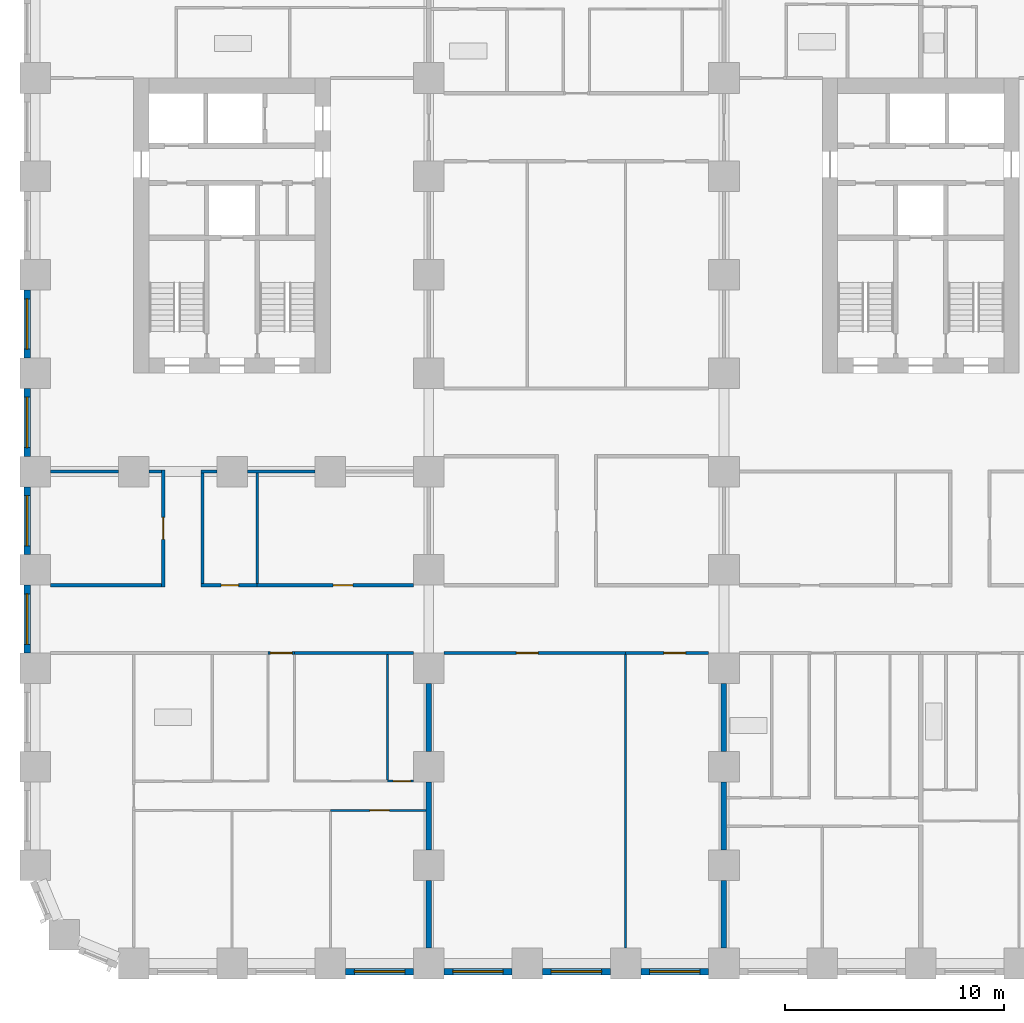
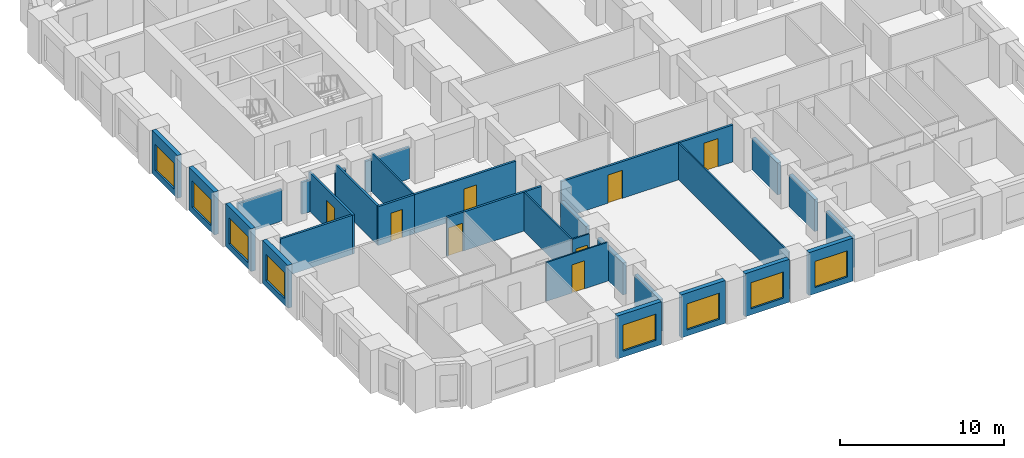
# One storey, part 3 of 13: 32 walls, 8 doors, 8 windows, 16 openings.
"""IFC4 building model written with IfcOpenShell, lengths in metres."""

from ifc_helpers import new_model, si_unit, direction, frame, frame_2d, origin, place, context, subcontext, project, spatial, rectangle, extrude, material, layer, layer_set, type_object, element, fill, save


model = new_model("IFC4")

# Units and contexts
model_context = context("Model", 3, precision=1e-05, world=origin(), true_north=direction((0.0, 1.0)))
body_context = subcontext(model_context, "Body", "Model", "MODEL_VIEW")
ifc_project = project(units=[si_unit("LENGTHUNIT", "METRE"), si_unit("AREAUNIT", "SQUARE_METRE"), si_unit("VOLUMEUNIT", "CUBIC_METRE"), si_unit("PLANEANGLEUNIT", "RADIAN"), si_unit("MASSUNIT", "GRAM", prefix="KILO")], contexts=[model_context])

# Site, building, storey
site_placement = place(None, origin())
site = spatial("IfcSite", under=ifc_project, at=site_placement, CompositionType="ELEMENT")
building_placement = place(site_placement, origin())
building = spatial("IfcBuilding", under=site, at=building_placement, Name="Girih Gate Residences", CompositionType="ELEMENT")
storey_placement = place(building_placement, frame((0.0, 0.0, 49.60009765625)))
storey = spatial("IfcBuildingStorey", under=building, at=storey_placement, Name="L12", CompositionType="ELEMENT", Elevation=49.60009765625)

# Walls
ifc_material_1 = material(Name="Gypsum board on steel studs", Category="steel")
ifc_layer_1 = layer(ifc_material_1, 0.25)
ifc_layer_set_1 = layer_set([ifc_layer_1], Name="Acoustic separating wall 250 mm")
wall_type_1 = type_object("IfcWallType", Name="Acoustic separating wall 250 mm", PredefinedType="PARTITIONING", material=ifc_layer_set_1)
for number, where, z_axis, x_axis, name in (
    (1, (18.0, 5.199951171875, 0.0), (0.0, 0.0, 1.0), (0.0, 1.0, 0.0), "L12 partition"),
    (2, (18.0, 0.699951171875, 0.0), (0.0, 0.0, 1.0), (0.0, 1.0, 0.0), "L12 partition"),
    (3, (18.0, 9.699951171875, 0.0), (0.0, 0.0, 1.0), (0.0, 1.0, 0.0), "L12 partition"),
    (4, (31.5, 9.699951171875, 0.0), (0.0, 0.0, 1.0), (0.0, 1.0, 0.0), "L12 partition"),
    (5, (31.5, 0.699951171875, 0.0), (0.0, 0.0, 1.0), (0.0, 1.0, 0.0), "L12 partition"),
    (6, (31.5, 5.199951171875, 0.0), (0.0, 0.0, 1.0), (0.0, 1.0, 0.0), "L12 partition"),
):
    element("IfcWall", number, at=place(storey_placement, frame(where, z_axis=z_axis, x_axis=x_axis)), inside=storey, type_object=wall_type_1, Name=name, PredefinedType="PARTITIONING", context=body_context, shape_type="SweptSolid", body=[
        extrude(rectangle(XDim=3.10009765625, YDim=0.25, at=frame_2d((1.550048828125, 0.0))), origin(), (0.0, 0.0, 1.0), 2.3798828125),
    ])

# Wall, opening, door
ifc_layer_2 = layer(ifc_material_1, 0.14990234375)
ifc_layer_set_2 = layer_set([ifc_layer_2], Name="Compartment wall 150 mm")
wall_type_2 = type_object("IfcWallType", Name="Compartment wall 150 mm", PredefinedType="PARTITIONING", material=ifc_layer_set_2)
wall_1_placement = place(storey_placement, frame((11.85009765625, 14.199951171875, 0.0), z_axis=(0.0, 0.0, 1.0), x_axis=(-1.0, 0.0, 0.0)))
wall_1 = element("IfcWall", 7, at=wall_1_placement, inside=storey, type_object=wall_type_2, Name="L12 partition", PredefinedType="PARTITIONING", context=body_context, shape_type="SweptSolid", body=[
    extrude(rectangle(XDim=1.2001953125, YDim=0.14990234375, at=frame_2d((0.60009765625, 0.0))), origin(), (0.0, 0.0, 1.0), 2.89990234375),
])
opening_1_placement = place(wall_1_placement, frame((0.10009765625, 0.0, 0.0)))
opening_1 = element("IfcOpeningElement", 8, at=opening_1_placement, cuts=wall_1, Name="Opening A12-009", PredefinedType="OPENING", context=body_context, shape_type="SweptSolid", body=[
    extrude(rectangle(XDim=1.0, YDim=2.10009765625, at=frame_2d((0.5, 1.050048828125))), frame((0.0, 0.0849609375, 0.0), z_axis=(0.0, -1.0, 0.0), x_axis=(1.0, 0.0, 0.0)), (0.0, 0.0, 1.0), 0.169921875),
])
ifc_material_2 = material(Name="Timber, fire-rated core", Category="wood")
door_type_1 = type_object("IfcDoorType", Name="Flat entrance door 1000x2100 FD30S", OperationType="NOTDEFINED", PredefinedType="DOOR", material=ifc_material_2)
door_1_placement = place(opening_1_placement, origin())
door_1 = element("IfcDoor", 9, at=door_1_placement, inside=storey, type_object=door_type_1, Name="Door A12-009", OperationType="SINGLE_SWING_RIGHT", OverallHeight=2.10009765625, OverallWidth=1.0, PredefinedType="DOOR", context=body_context, shape_type="SweptSolid", body=[
    extrude(rectangle(XDim=1.0, YDim=2.10009765625, at=frame_2d((0.5, 1.050048828125))), frame((0.0, 0.02490234375, 0.0), z_axis=(0.0, -1.0, 0.0), x_axis=(1.0, 0.0, 0.0)), (0.0, 0.0, 1.0), 0.050048828125),
])
fill(opening_1, door_1)

# Wall
wall_2_placement = place(storey_placement, frame((11.85009765625, 14.199951171875, 0.0), z_axis=(0.0, 0.0, 1.0), x_axis=(1.0, 0.0, 0.0)))
element("IfcWall", 10, at=wall_2_placement, inside=storey, type_object=wall_type_2, Name="L12 partition", PredefinedType="PARTITIONING", context=body_context, shape_type="SweptSolid", body=[
    extrude(rectangle(XDim=5.449951171875, YDim=0.14990234375, at=frame_2d((2.72509765625, 0.0))), origin(), (0.0, 0.0, 1.0), 2.89990234375),
])

# Wall, opening, door
wall_3_placement = place(storey_placement, frame((27.0, 14.199951171875, 0.0), z_axis=(0.0, 0.0, 1.0), x_axis=(-1.0, 0.0, 0.0)))
wall_3 = element("IfcWall", 11, at=wall_3_placement, inside=storey, type_object=wall_type_2, Name="L12 partition", PredefinedType="PARTITIONING", context=body_context, shape_type="SweptSolid", body=[
    extrude(rectangle(XDim=8.300048828125, YDim=0.14990234375, at=frame_2d((4.14990234375, 0.0))), origin(), (0.0, 0.0, 1.0), 2.75),
])
opening_2_placement = place(wall_3_placement, frame((4.0, 0.0, 0.0)))
opening_2 = element("IfcOpeningElement", 12, at=opening_2_placement, cuts=wall_3, Name="Opening A12-052", PredefinedType="OPENING", context=body_context, shape_type="SweptSolid", body=[
    extrude(rectangle(XDim=1.0, YDim=2.10009765625, at=frame_2d((0.5, 1.050048828125))), frame((0.0, 0.0849609375, 0.0), z_axis=(0.0, -1.0, 0.0), x_axis=(1.0, 0.0, 0.0)), (0.0, 0.0, 1.0), 0.169921875),
])
door_type_2 = type_object("IfcDoorType", Name="Amenity room door 1000x2100 FD30S", OperationType="NOTDEFINED", PredefinedType="DOOR", material=ifc_material_2)
door_2_placement = place(opening_2_placement, origin())
door_2 = element("IfcDoor", 13, at=door_2_placement, inside=storey, type_object=door_type_2, Name="Door A12-052", OperationType="SINGLE_SWING_RIGHT", OverallHeight=2.10009765625, OverallWidth=1.0, PredefinedType="DOOR", context=body_context, shape_type="SweptSolid", body=[
    extrude(rectangle(XDim=1.0, YDim=2.10009765625, at=frame_2d((0.5, 1.050048828125))), frame((0.0, 0.02490234375, 0.0), z_axis=(0.0, -1.0, 0.0), x_axis=(1.0, 0.0, 0.0)), (0.0, 0.0, 1.0), 0.050048828125),
])
fill(opening_2, door_2)

wall_4_placement = place(storey_placement, frame((30.800048828125, 14.199951171875, 0.0), z_axis=(0.0, 0.0, 1.0), x_axis=(-1.0, 0.0, 0.0)))
wall_4 = element("IfcWall", 14, at=wall_4_placement, inside=storey, type_object=wall_type_2, Name="L12 partition", PredefinedType="PARTITIONING", context=body_context, shape_type="SweptSolid", body=[
    extrude(rectangle(XDim=3.800048828125, YDim=0.14990234375, at=frame_2d((1.89990234375, 0.0))), origin(), (0.0, 0.0, 1.0), 2.75),
])
opening_3_placement = place(wall_4_placement, frame((1.050048828125, 0.0, 0.0)))
opening_3 = element("IfcOpeningElement", 15, at=opening_3_placement, cuts=wall_4, Name="Opening A12-053", PredefinedType="OPENING", context=body_context, shape_type="SweptSolid", body=[
    extrude(rectangle(XDim=1.0, YDim=2.10009765625, at=frame_2d((0.5, 1.050048828125))), frame((0.0, 0.0849609375, 0.0), z_axis=(0.0, -1.0, 0.0), x_axis=(1.0, 0.0, 0.0)), (0.0, 0.0, 1.0), 0.169921875),
])
door_3_placement = place(opening_3_placement, origin())
door_3 = element("IfcDoor", 16, at=door_3_placement, inside=storey, type_object=door_type_2, Name="Door A12-053", OperationType="SINGLE_SWING_LEFT", OverallHeight=2.10009765625, OverallWidth=1.0, PredefinedType="DOOR", context=body_context, shape_type="SweptSolid", body=[
    extrude(rectangle(XDim=1.0, YDim=2.10009765625, at=frame_2d((0.5, 1.050048828125))), frame((0.0, 0.02490234375, 0.0), z_axis=(0.0, -1.0, 0.0), x_axis=(1.0, 0.0, 0.0)), (0.0, 0.0, 1.0), 0.050048828125),
])
fill(opening_3, door_3)

wall_5_placement = place(storey_placement, frame((10.14990234375, 17.300048828125, 0.0), z_axis=(0.0, 0.0, 1.0), x_axis=(1.0, 0.0, 0.0)))
wall_5 = element("IfcWall", 17, at=wall_5_placement, inside=storey, type_object=wall_type_2, Name="L12 partition", PredefinedType="PARTITIONING", context=body_context, shape_type="SweptSolid", body=[
    extrude(rectangle(XDim=7.150146484375, YDim=0.14990234375, at=frame_2d((3.5751953125, 0.0))), origin(), (0.0, 0.0, 1.0), 2.89990234375),
])
opening_4_placement = place(wall_5_placement, frame((3.47509765625, 0.0, 0.0)))
opening_4 = element("IfcOpeningElement", 18, at=opening_4_placement, cuts=wall_5, Name="Opening A12-057", PredefinedType="OPENING", context=body_context, shape_type="SweptSolid", body=[
    extrude(rectangle(XDim=0.89990234375, YDim=2.10009765625, at=frame_2d((0.449951171875, 1.050048828125))), frame((0.0, 0.0849609375, 0.0), z_axis=(0.0, -1.0, 0.0), x_axis=(1.0, 0.0, 0.0)), (0.0, 0.0, 1.0), 0.169921875),
])
ifc_material_3 = material(Name="Timber", Category="wood")
door_type_3 = type_object("IfcDoorType", Name="Service room door 900x2100", OperationType="NOTDEFINED", PredefinedType="DOOR", material=ifc_material_3)
door_4_placement = place(opening_4_placement, origin())
door_4 = element("IfcDoor", 19, at=door_4_placement, inside=storey, type_object=door_type_3, Name="Door A12-057", OperationType="SINGLE_SWING_RIGHT", OverallHeight=2.10009765625, OverallWidth=0.89990234375, PredefinedType="DOOR", context=body_context, shape_type="SweptSolid", body=[
    extrude(rectangle(XDim=0.89990234375, YDim=2.10009765625, at=frame_2d((0.449951171875, 1.050048828125))), frame((0.0, 0.02490234375, 0.0), z_axis=(0.0, -1.0, 0.0), x_axis=(1.0, 0.0, 0.0)), (0.0, 0.0, 1.0), 0.050048828125),
])
fill(opening_4, door_4)

wall_6_placement = place(storey_placement, frame((7.574951171875, 17.300048828125, 0.0), z_axis=(0.0, 0.0, 1.0), x_axis=(1.0, 0.0, 0.0)))
wall_6 = element("IfcWall", 20, at=wall_6_placement, inside=storey, type_object=wall_type_2, Name="L12 partition", PredefinedType="PARTITIONING", context=body_context, shape_type="SweptSolid", body=[
    extrude(rectangle(XDim=2.574951171875, YDim=0.14990234375, at=frame_2d((1.28759765625, 0.0))), origin(), (0.0, 0.0, 1.0), 2.89990234375),
])
opening_5_placement = place(wall_6_placement, frame((0.925048828125, 0.0, 0.0)))
opening_5 = element("IfcOpeningElement", 21, at=opening_5_placement, cuts=wall_6, Name="Opening A12-059", PredefinedType="OPENING", context=body_context, shape_type="SweptSolid", body=[
    extrude(rectangle(XDim=0.800048828125, YDim=2.10009765625, at=frame_2d((0.39990234375, 1.050048828125))), frame((0.0, 0.0849609375, 0.0), z_axis=(0.0, -1.0, 0.0), x_axis=(1.0, 0.0, 0.0)), (0.0, 0.0, 1.0), 0.169921875),
])
door_type_4 = type_object("IfcDoorType", Name="Bathroom door 800x2100", OperationType="NOTDEFINED", PredefinedType="DOOR", material=ifc_material_3)
door_5_placement = place(opening_5_placement, origin())
door_5 = element("IfcDoor", 22, at=door_5_placement, inside=storey, type_object=door_type_4, Name="Door A12-059", OperationType="SINGLE_SWING_RIGHT", OverallHeight=2.10009765625, OverallWidth=0.800048828125, PredefinedType="DOOR", context=body_context, shape_type="SweptSolid", body=[
    extrude(rectangle(XDim=0.800048828125, YDim=2.10009765625, at=frame_2d((0.39990234375, 1.050048828125))), frame((0.0, 0.02490234375, 0.0), z_axis=(0.0, -1.0, 0.0), x_axis=(1.0, 0.0, 0.0)), (0.0, 0.0, 1.0), 0.050048828125),
])
fill(opening_5, door_5)

# Walls
wall_7_placement = place(storey_placement, frame((0.699951171875, 17.300048828125, 0.0), z_axis=(0.0, 0.0, 1.0), x_axis=(1.0, 0.0, 0.0)))
element("IfcWall", 23, at=wall_7_placement, inside=storey, type_object=wall_type_2, Name="L12 partition", PredefinedType="PARTITIONING", context=body_context, shape_type="SweptSolid", body=[
    extrude(rectangle(XDim=5.074951171875, YDim=0.14990234375, at=frame_2d((2.53759765625, 0.0))), origin(), (0.0, 0.0, 1.0), 2.89990234375),
])
wall_8_placement = place(storey_placement, frame((9.699951171875, 22.5, 0.0), z_axis=(0.0, 0.0, 1.0), x_axis=(1.0, 0.0, 0.0)))
element("IfcWall", 24, at=wall_8_placement, inside=storey, type_object=wall_type_2, Name="L12 partition", PredefinedType="PARTITIONING", context=body_context, shape_type="SweptSolid", body=[
    extrude(rectangle(XDim=3.10009765625, YDim=0.14990234375, at=frame_2d((1.550048828125, 0.0))), origin(), (0.0, 0.0, 1.0), 2.3798828125),
])
wall_9_placement = place(storey_placement, frame((7.574951171875, 22.5, 0.0), z_axis=(0.0, 0.0, 1.0), x_axis=(1.0, 0.0, 0.0)))
element("IfcWall", 25, at=wall_9_placement, inside=storey, type_object=wall_type_2, Name="L12 partition", PredefinedType="PARTITIONING", context=body_context, shape_type="SweptSolid", body=[
    extrude(rectangle(XDim=0.72509765625, YDim=0.14990234375, at=frame_2d((0.362548828125, 0.0))), origin(), (0.0, 0.0, 1.0), 2.3798828125),
])
wall_10_placement = place(storey_placement, frame((5.199951171875, 22.5, 0.0), z_axis=(0.0, 0.0, 1.0), x_axis=(1.0, 0.0, 0.0)))
element("IfcWall", 26, at=wall_10_placement, inside=storey, type_object=wall_type_2, Name="L12 partition", PredefinedType="PARTITIONING", context=body_context, shape_type="SweptSolid", body=[
    extrude(rectangle(XDim=0.574951171875, YDim=0.14990234375, at=frame_2d((0.28759765625, 0.0))), origin(), (0.0, 0.0, 1.0), 2.3798828125),
])
wall_11_placement = place(storey_placement, frame((0.699951171875, 22.5, 0.0), z_axis=(0.0, 0.0, 1.0), x_axis=(1.0, 0.0, 0.0)))
element("IfcWall", 27, at=wall_11_placement, inside=storey, type_object=wall_type_2, Name="L12 partition", PredefinedType="PARTITIONING", context=body_context, shape_type="SweptSolid", body=[
    extrude(rectangle(XDim=3.10009765625, YDim=0.14990234375, at=frame_2d((1.550048828125, 0.0))), origin(), (0.0, 0.0, 1.0), 2.3798828125),
])
wall_12_placement = place(storey_placement, frame((7.64990234375, 17.375, 0.0), z_axis=(0.0, 0.0, 1.0), x_axis=(0.0, 1.0, 0.0)))
element("IfcWall", 28, at=wall_12_placement, inside=storey, type_object=wall_type_2, Name="L12 partition", PredefinedType="PARTITIONING", context=body_context, shape_type="SweptSolid", body=[
    extrude(rectangle(XDim=5.050048828125, YDim=0.14990234375, at=frame_2d((2.52490234375, 0.0))), origin(), (0.0, 0.0, 1.0), 2.89990234375),
])

# Wall, opening, door
wall_13_placement = place(storey_placement, frame((5.85009765625, 17.22509765625, 0.0), z_axis=(0.0, 0.0, 1.0), x_axis=(0.0, 1.0, 0.0)))
wall_13 = element("IfcWall", 29, at=wall_13_placement, inside=storey, type_object=wall_type_2, Name="L12 partition", PredefinedType="PARTITIONING", context=body_context, shape_type="SweptSolid", body=[
    extrude(rectangle(XDim=5.349853515625, YDim=0.14990234375, at=frame_2d((2.6748046875, 0.0))), origin(), (0.0, 0.0, 1.0), 2.89990234375),
])
opening_6_placement = place(wall_13_placement, frame((2.175048828125, 0.0, 0.0)))
opening_6 = element("IfcOpeningElement", 30, at=opening_6_placement, cuts=wall_13, Name="Opening A12-061", PredefinedType="OPENING", context=body_context, shape_type="SweptSolid", body=[
    extrude(rectangle(XDim=1.0, YDim=2.10009765625, at=frame_2d((0.5, 1.050048828125))), frame((0.0, 0.0849609375, 0.0), z_axis=(0.0, -1.0, 0.0), x_axis=(1.0, 0.0, 0.0)), (0.0, 0.0, 1.0), 0.169921875),
])
door_6_placement = place(opening_6_placement, origin())
door_6 = element("IfcDoor", 31, at=door_6_placement, inside=storey, type_object=door_type_2, Name="Door A12-061", OperationType="SINGLE_SWING_LEFT", OverallHeight=2.10009765625, OverallWidth=1.0, PredefinedType="DOOR", context=body_context, shape_type="SweptSolid", body=[
    extrude(rectangle(XDim=1.0, YDim=2.10009765625, at=frame_2d((0.5, 1.050048828125))), frame((0.0, 0.02490234375, 0.0), z_axis=(0.0, -1.0, 0.0), x_axis=(1.0, 0.0, 0.0)), (0.0, 0.0, 1.0), 0.050048828125),
])
fill(opening_6, door_6)

ifc_layer_3 = layer(ifc_material_1, 0.10009765625)
ifc_layer_set_3 = layer_set([ifc_layer_3], Name="Partition 100 mm")
wall_type_3 = type_object("IfcWallType", Name="Partition 100 mm", PredefinedType="PARTITIONING", material=ifc_layer_set_3)
wall_14_placement = place(storey_placement, frame((17.875, 7.0, 0.0), z_axis=(0.0, 0.0, 1.0), x_axis=(-1.0, 0.0, 0.0)))
wall_14 = element("IfcWall", 32, at=wall_14_placement, inside=storey, type_object=wall_type_3, Name="L12 partition", PredefinedType="PARTITIONING", context=body_context, shape_type="SweptSolid", body=[
    extrude(rectangle(XDim=4.375, YDim=0.10009765625, at=frame_2d((2.1875, 0.0))), origin(), (0.0, 0.0, 1.0), 2.89990234375),
])
opening_7_placement = place(wall_14_placement, frame((1.675048828125, 0.0, 0.0)))
opening_7 = element("IfcOpeningElement", 33, at=opening_7_placement, cuts=wall_14, Name="Opening A12-004", PredefinedType="OPENING", context=body_context, shape_type="SweptSolid", body=[
    extrude(rectangle(XDim=0.89990234375, YDim=2.10009765625, at=frame_2d((0.449951171875, 1.050048828125))), frame((0.0, 0.06005859375, 0.0), z_axis=(0.0, -1.0, 0.0), x_axis=(1.0, 0.0, 0.0)), (0.0, 0.0, 1.0), 0.1201171875),
])
door_type_5 = type_object("IfcDoorType", Name="Bedroom door 900x2100", OperationType="NOTDEFINED", PredefinedType="DOOR", material=ifc_material_3)
door_7_placement = place(opening_7_placement, origin())
door_7 = element("IfcDoor", 34, at=door_7_placement, inside=storey, type_object=door_type_5, Name="Door A12-004", OperationType="SINGLE_SWING_LEFT", OverallHeight=2.10009765625, OverallWidth=0.89990234375, PredefinedType="DOOR", context=body_context, shape_type="SweptSolid", body=[
    extrude(rectangle(XDim=0.89990234375, YDim=2.10009765625, at=frame_2d((0.449951171875, 1.050048828125))), frame((0.0, 0.02490234375, 0.0), z_axis=(0.0, -1.0, 0.0), x_axis=(1.0, 0.0, 0.0)), (0.0, 0.0, 1.0), 0.050048828125),
])
fill(opening_7, door_7)

wall_15_placement = place(storey_placement, frame((16.107421875, 8.340087890625, 0.0), z_axis=(0.0, 0.0, 1.0), x_axis=(1.0, 0.0, 0.0)))
wall_15 = element("IfcWall", 35, at=wall_15_placement, inside=storey, type_object=wall_type_3, Name="L12 partition", PredefinedType="PARTITIONING", context=body_context, shape_type="SweptSolid", body=[
    extrude(rectangle(XDim=1.192626953125, YDim=0.10009765625, at=frame_2d((0.59619140625, 0.0))), origin(), (0.0, 0.0, 1.0), 2.89990234375),
])
opening_8_placement = place(wall_15_placement, frame((0.2626953125, 0.0, 0.0)))
opening_8 = element("IfcOpeningElement", 36, at=opening_8_placement, cuts=wall_15, Name="Opening A12-007", PredefinedType="OPENING", context=body_context, shape_type="SweptSolid", body=[
    extrude(rectangle(XDim=0.800048828125, YDim=2.10009765625, at=frame_2d((0.39990234375, 1.050048828125))), frame((0.0, 0.06005859375, 0.0), z_axis=(0.0, -1.0, 0.0), x_axis=(1.0, 0.0, 0.0)), (0.0, 0.0, 1.0), 0.1201171875),
])
door_type_6 = type_object("IfcDoorType", Name="Store door 800x2100", OperationType="NOTDEFINED", PredefinedType="DOOR", material=ifc_material_3)
door_8_placement = place(opening_8_placement, origin())
door_8 = element("IfcDoor", 37, at=door_8_placement, inside=storey, type_object=door_type_6, Name="Door A12-007", OperationType="SINGLE_SWING_RIGHT", OverallHeight=2.10009765625, OverallWidth=0.800048828125, PredefinedType="DOOR", context=body_context, shape_type="SweptSolid", body=[
    extrude(rectangle(XDim=0.800048828125, YDim=2.10009765625, at=frame_2d((0.39990234375, 1.050048828125))), frame((0.0, 0.02490234375, 0.0), z_axis=(0.0, -1.0, 0.0), x_axis=(1.0, 0.0, 0.0)), (0.0, 0.0, 1.0), 0.050048828125),
])
fill(opening_8, door_8)

# Walls
wall_16_placement = place(storey_placement, frame((16.10693359375, 8.389892578125, 0.0), z_axis=(0.0, 0.0, 1.0), x_axis=(0.0, 1.0, 0.0)))
element("IfcWall", 38, at=wall_16_placement, inside=storey, type_object=wall_type_3, Name="L12 partition", PredefinedType="PARTITIONING", context=body_context, shape_type="SweptSolid", body=[
    extrude(rectangle(XDim=5.735107421875, YDim=0.10009765625, at=frame_2d((2.86767578125, 0.0))), origin(), (0.0, 0.0, 1.0), 2.89990234375),
])
wall_17_placement = place(storey_placement, frame((27.0, 0.699951171875, 0.0), z_axis=(0.0, 0.0, 1.0), x_axis=(0.0, 1.0, 0.0)))
element("IfcWall", 39, at=wall_17_placement, inside=storey, type_object=wall_type_3, Name="L12 partition", PredefinedType="PARTITIONING", context=body_context, shape_type="SweptSolid", body=[
    extrude(rectangle(XDim=13.425048828125, YDim=0.10009765625, at=frame_2d((6.71240234375, 0.0))), origin(), (0.0, 0.0, 1.0), 2.75),
])
wall_18_placement = place(storey_placement, frame((10.14990234375, 17.375, 0.0), z_axis=(0.0, 0.0, 1.0), x_axis=(0.0, 1.0, 0.0)))
element("IfcWall", 40, at=wall_18_placement, inside=storey, type_object=wall_type_3, Name="L12 partition", PredefinedType="PARTITIONING", context=body_context, shape_type="SweptSolid", body=[
    extrude(rectangle(XDim=5.050048828125, YDim=0.10009765625, at=frame_2d((2.52490234375, 0.0))), origin(), (0.0, 0.0, 1.0), 2.89990234375),
])

# Wall, opening, window
ifc_material_4 = material(Name="Precast concrete C50/60", Category="concrete")
ifc_layer_4 = layer(ifc_material_4, 0.080078125, Name="Outer leaf")
ifc_material_5 = material(Name="Rigid PIR insulation")
ifc_layer_5 = layer(ifc_material_5, 0.14990234375, Name="Insulation")
ifc_material_6 = material(Name="Precast concrete C40/50", Category="concrete")
ifc_layer_6 = layer(ifc_material_6, 0.070068359375, Name="Inner leaf")
ifc_layer_set_4 = layer_set([ifc_layer_4, ifc_layer_5, ifc_layer_6], Name="Precast concrete C50/60 external wall 300")
wall_type_4 = type_object("IfcWallType", Name="Precast concrete C50/60 external wall 300", PredefinedType="SOLIDWALL", material=ifc_layer_set_4)
wall_19_placement = place(storey_placement, frame((17.300048828125, -0.375, 0.0), z_axis=(0.0, 0.0, 1.0), x_axis=(-1.0, 0.0, 0.0)))
wall_19 = element("IfcWall", 41, at=wall_19_placement, inside=storey, type_object=wall_type_4, Name="External wall S0045_0000.2", PredefinedType="SOLIDWALL", context=body_context, shape_type="SweptSolid", body=[
    extrude(rectangle(XDim=3.10009765625, YDim=0.300048828125, at=frame_2d((1.550048828125, 0.0))), origin(), (0.0, 0.0, 1.0), 3.199951171875),
])
opening_9_placement = place(wall_19_placement, frame((0.39990234375, 0.0, 0.449951171875)))
opening_9 = element("IfcOpeningElement", 42, at=opening_9_placement, cuts=wall_19, Name="Opening W-1", PredefinedType="OPENING", context=body_context, shape_type="SweptSolid", body=[
    extrude(rectangle(XDim=2.300048828125, YDim=1.949951171875, at=frame_2d((1.14990234375, 0.97509765625))), frame((0.0, 0.159912109375, 0.0), z_axis=(0.0, -1.0, 0.0), x_axis=(1.0, 0.0, 0.0)), (0.0, 0.0, 1.0), 0.320068359375),
])
ifc_material_7 = material(Name="Double glazing in aluminium frame", Category="aluminium")
window_type = type_object("IfcWindowType", Name="Window W-1 2300x1950", PartitioningType="SINGLE_PANEL", PredefinedType="WINDOW", material=ifc_material_7)
window_1_placement = place(opening_9_placement, origin())
window_1 = element("IfcWindow", 43, at=window_1_placement, inside=storey, type_object=window_type, Name="Window W-1 S0045_0000.2", OverallHeight=1.949951171875, OverallWidth=2.300048828125, PartitioningType="SINGLE_PANEL", PredefinedType="WINDOW", context=body_context, shape_type="SweptSolid", body=[
    extrude(rectangle(XDim=2.300048828125, YDim=1.949951171875, at=frame_2d((1.14990234375, 0.97509765625))), frame((0.0, 0.030029296875, 0.0), z_axis=(0.0, -1.0, 0.0), x_axis=(1.0, 0.0, 0.0)), (0.0, 0.0, 1.0), 0.06005859375),
])
fill(opening_9, window_1)

wall_20_placement = place(storey_placement, frame((21.800048828125, -0.375, 0.0), z_axis=(0.0, 0.0, 1.0), x_axis=(-1.0, 0.0, 0.0)))
wall_20 = element("IfcWall", 44, at=wall_20_placement, inside=storey, type_object=wall_type_4, Name="External wall S0045_0000.3", PredefinedType="SOLIDWALL", context=body_context, shape_type="SweptSolid", body=[
    extrude(rectangle(XDim=3.10009765625, YDim=0.300048828125, at=frame_2d((1.550048828125, 0.0))), origin(), (0.0, 0.0, 1.0), 3.199951171875),
])
opening_10_placement = place(wall_20_placement, frame((0.39990234375, 0.0, 0.449951171875)))
opening_10 = element("IfcOpeningElement", 45, at=opening_10_placement, cuts=wall_20, Name="Opening W-1", PredefinedType="OPENING", context=body_context, shape_type="SweptSolid", body=[
    extrude(rectangle(XDim=2.300048828125, YDim=1.949951171875, at=frame_2d((1.14990234375, 0.97509765625))), frame((0.0, 0.159912109375, 0.0), z_axis=(0.0, -1.0, 0.0), x_axis=(1.0, 0.0, 0.0)), (0.0, 0.0, 1.0), 0.320068359375),
])
window_2_placement = place(opening_10_placement, origin())
window_2 = element("IfcWindow", 46, at=window_2_placement, inside=storey, type_object=window_type, Name="Window W-1 S0045_0000.3", OverallHeight=1.949951171875, OverallWidth=2.300048828125, PartitioningType="SINGLE_PANEL", PredefinedType="WINDOW", context=body_context, shape_type="SweptSolid", body=[
    extrude(rectangle(XDim=2.300048828125, YDim=1.949951171875, at=frame_2d((1.14990234375, 0.97509765625))), frame((0.0, 0.030029296875, 0.0), z_axis=(0.0, -1.0, 0.0), x_axis=(1.0, 0.0, 0.0)), (0.0, 0.0, 1.0), 0.06005859375),
])
fill(opening_10, window_2)

wall_21_placement = place(storey_placement, frame((26.300048828125, -0.375, 0.0), z_axis=(0.0, 0.0, 1.0), x_axis=(-1.0, 0.0, 0.0)))
wall_21 = element("IfcWall", 47, at=wall_21_placement, inside=storey, type_object=wall_type_4, Name="External wall S0045_0000.4", PredefinedType="SOLIDWALL", context=body_context, shape_type="SweptSolid", body=[
    extrude(rectangle(XDim=3.10009765625, YDim=0.300048828125, at=frame_2d((1.550048828125, 0.0))), origin(), (0.0, 0.0, 1.0), 3.199951171875),
])
opening_11_placement = place(wall_21_placement, frame((0.39990234375, 0.0, 0.449951171875)))
opening_11 = element("IfcOpeningElement", 48, at=opening_11_placement, cuts=wall_21, Name="Opening W-1", PredefinedType="OPENING", context=body_context, shape_type="SweptSolid", body=[
    extrude(rectangle(XDim=2.300048828125, YDim=1.949951171875, at=frame_2d((1.14990234375, 0.97509765625))), frame((0.0, 0.159912109375, 0.0), z_axis=(0.0, -1.0, 0.0), x_axis=(1.0, 0.0, 0.0)), (0.0, 0.0, 1.0), 0.320068359375),
])
window_3_placement = place(opening_11_placement, origin())
window_3 = element("IfcWindow", 49, at=window_3_placement, inside=storey, type_object=window_type, Name="Window W-1 S0045_0000.4", OverallHeight=1.949951171875, OverallWidth=2.300048828125, PartitioningType="SINGLE_PANEL", PredefinedType="WINDOW", context=body_context, shape_type="SweptSolid", body=[
    extrude(rectangle(XDim=2.300048828125, YDim=1.949951171875, at=frame_2d((1.14990234375, 0.97509765625))), frame((0.0, 0.030029296875, 0.0), z_axis=(0.0, -1.0, 0.0), x_axis=(1.0, 0.0, 0.0)), (0.0, 0.0, 1.0), 0.06005859375),
])
fill(opening_11, window_3)

wall_22_placement = place(storey_placement, frame((30.800048828125, -0.375, 0.0), z_axis=(0.0, 0.0, 1.0), x_axis=(-1.0, 0.0, 0.0)))
wall_22 = element("IfcWall", 50, at=wall_22_placement, inside=storey, type_object=wall_type_4, Name="External wall S0045_0000.5", PredefinedType="SOLIDWALL", context=body_context, shape_type="SweptSolid", body=[
    extrude(rectangle(XDim=3.10009765625, YDim=0.300048828125, at=frame_2d((1.550048828125, 0.0))), origin(), (0.0, 0.0, 1.0), 3.199951171875),
])
opening_12_placement = place(wall_22_placement, frame((0.39990234375, 0.0, 0.449951171875)))
opening_12 = element("IfcOpeningElement", 51, at=opening_12_placement, cuts=wall_22, Name="Opening W-1", PredefinedType="OPENING", context=body_context, shape_type="SweptSolid", body=[
    extrude(rectangle(XDim=2.300048828125, YDim=1.949951171875, at=frame_2d((1.14990234375, 0.97509765625))), frame((0.0, 0.159912109375, 0.0), z_axis=(0.0, -1.0, 0.0), x_axis=(1.0, 0.0, 0.0)), (0.0, 0.0, 1.0), 0.320068359375),
])
window_4_placement = place(opening_12_placement, origin())
window_4 = element("IfcWindow", 52, at=window_4_placement, inside=storey, type_object=window_type, Name="Window W-1 S0045_0000.5", OverallHeight=1.949951171875, OverallWidth=2.300048828125, PartitioningType="SINGLE_PANEL", PredefinedType="WINDOW", context=body_context, shape_type="SweptSolid", body=[
    extrude(rectangle(XDim=2.300048828125, YDim=1.949951171875, at=frame_2d((1.14990234375, 0.97509765625))), frame((0.0, 0.030029296875, 0.0), z_axis=(0.0, -1.0, 0.0), x_axis=(1.0, 0.0, 0.0)), (0.0, 0.0, 1.0), 0.06005859375),
])
fill(opening_12, window_4)

wall_23_placement = place(storey_placement, frame((-0.375, 27.699951171875, 0.0), z_axis=(0.0, 0.0, 1.0), x_axis=(0.0, 1.0, 0.0)))
wall_23 = element("IfcWall", 53, at=wall_23_placement, inside=storey, type_object=wall_type_4, Name="External wall W0000_0450.3", PredefinedType="SOLIDWALL", context=body_context, shape_type="SweptSolid", body=[
    extrude(rectangle(XDim=3.10009765625, YDim=0.300048828125, at=frame_2d((1.550048828125, 0.0))), origin(), (0.0, 0.0, 1.0), 3.199951171875),
])
opening_13_placement = place(wall_23_placement, frame((0.39990234375, 0.0, 0.449951171875)))
opening_13 = element("IfcOpeningElement", 54, at=opening_13_placement, cuts=wall_23, Name="Opening W-1", PredefinedType="OPENING", context=body_context, shape_type="SweptSolid", body=[
    extrude(rectangle(XDim=2.300048828125, YDim=1.949951171875, at=frame_2d((1.14990234375, 0.97509765625))), frame((0.0, 0.159912109375, 0.0), z_axis=(0.0, -1.0, 0.0), x_axis=(1.0, 0.0, 0.0)), (0.0, 0.0, 1.0), 0.320068359375),
])
window_5_placement = place(opening_13_placement, origin())
window_5 = element("IfcWindow", 55, at=window_5_placement, inside=storey, type_object=window_type, Name="Window W-1 W0000_0450.3", OverallHeight=1.949951171875, OverallWidth=2.300048828125, PartitioningType="SINGLE_PANEL", PredefinedType="WINDOW", context=body_context, shape_type="SweptSolid", body=[
    extrude(rectangle(XDim=2.300048828125, YDim=1.949951171875, at=frame_2d((1.14990234375, 0.97509765625))), frame((0.0, 0.030029296875, 0.0), z_axis=(0.0, -1.0, 0.0), x_axis=(1.0, 0.0, 0.0)), (0.0, 0.0, 1.0), 0.06005859375),
])
fill(opening_13, window_5)

wall_24_placement = place(storey_placement, frame((-0.375, 23.199951171875, 0.0), z_axis=(0.0, 0.0, 1.0), x_axis=(0.0, 1.0, 0.0)))
wall_24 = element("IfcWall", 56, at=wall_24_placement, inside=storey, type_object=wall_type_4, Name="External wall W0000_0450.4", PredefinedType="SOLIDWALL", context=body_context, shape_type="SweptSolid", body=[
    extrude(rectangle(XDim=3.10009765625, YDim=0.300048828125, at=frame_2d((1.550048828125, 0.0))), origin(), (0.0, 0.0, 1.0), 3.199951171875),
])
opening_14_placement = place(wall_24_placement, frame((0.39990234375, 0.0, 0.449951171875)))
opening_14 = element("IfcOpeningElement", 57, at=opening_14_placement, cuts=wall_24, Name="Opening W-1", PredefinedType="OPENING", context=body_context, shape_type="SweptSolid", body=[
    extrude(rectangle(XDim=2.300048828125, YDim=1.949951171875, at=frame_2d((1.14990234375, 0.97509765625))), frame((0.0, 0.159912109375, 0.0), z_axis=(0.0, -1.0, 0.0), x_axis=(1.0, 0.0, 0.0)), (0.0, 0.0, 1.0), 0.320068359375),
])
window_6_placement = place(opening_14_placement, origin())
window_6 = element("IfcWindow", 58, at=window_6_placement, inside=storey, type_object=window_type, Name="Window W-1 W0000_0450.4", OverallHeight=1.949951171875, OverallWidth=2.300048828125, PartitioningType="SINGLE_PANEL", PredefinedType="WINDOW", context=body_context, shape_type="SweptSolid", body=[
    extrude(rectangle(XDim=2.300048828125, YDim=1.949951171875, at=frame_2d((1.14990234375, 0.97509765625))), frame((0.0, 0.030029296875, 0.0), z_axis=(0.0, -1.0, 0.0), x_axis=(1.0, 0.0, 0.0)), (0.0, 0.0, 1.0), 0.06005859375),
])
fill(opening_14, window_6)

wall_25_placement = place(storey_placement, frame((-0.375, 18.699951171875, 0.0), z_axis=(0.0, 0.0, 1.0), x_axis=(0.0, 1.0, 0.0)))
wall_25 = element("IfcWall", 59, at=wall_25_placement, inside=storey, type_object=wall_type_4, Name="External wall W0000_0450.5", PredefinedType="SOLIDWALL", context=body_context, shape_type="SweptSolid", body=[
    extrude(rectangle(XDim=3.10009765625, YDim=0.300048828125, at=frame_2d((1.550048828125, 0.0))), origin(), (0.0, 0.0, 1.0), 3.199951171875),
])
opening_15_placement = place(wall_25_placement, frame((0.39990234375, 0.0, 0.449951171875)))
opening_15 = element("IfcOpeningElement", 60, at=opening_15_placement, cuts=wall_25, Name="Opening W-1", PredefinedType="OPENING", context=body_context, shape_type="SweptSolid", body=[
    extrude(rectangle(XDim=2.300048828125, YDim=1.949951171875, at=frame_2d((1.14990234375, 0.97509765625))), frame((0.0, 0.159912109375, 0.0), z_axis=(0.0, -1.0, 0.0), x_axis=(1.0, 0.0, 0.0)), (0.0, 0.0, 1.0), 0.320068359375),
])
window_7_placement = place(opening_15_placement, origin())
window_7 = element("IfcWindow", 61, at=window_7_placement, inside=storey, type_object=window_type, Name="Window W-1 W0000_0450.5", OverallHeight=1.949951171875, OverallWidth=2.300048828125, PartitioningType="SINGLE_PANEL", PredefinedType="WINDOW", context=body_context, shape_type="SweptSolid", body=[
    extrude(rectangle(XDim=2.300048828125, YDim=1.949951171875, at=frame_2d((1.14990234375, 0.97509765625))), frame((0.0, 0.030029296875, 0.0), z_axis=(0.0, -1.0, 0.0), x_axis=(1.0, 0.0, 0.0)), (0.0, 0.0, 1.0), 0.06005859375),
])
fill(opening_15, window_7)

wall_26_placement = place(storey_placement, frame((-0.375, 14.199951171875, 0.0), z_axis=(0.0, 0.0, 1.0), x_axis=(0.0, 1.0, 0.0)))
wall_26 = element("IfcWall", 62, at=wall_26_placement, inside=storey, type_object=wall_type_4, Name="External wall W0000_0450.6", PredefinedType="SOLIDWALL", context=body_context, shape_type="SweptSolid", body=[
    extrude(rectangle(XDim=3.10009765625, YDim=0.300048828125, at=frame_2d((1.550048828125, 0.0))), origin(), (0.0, 0.0, 1.0), 3.199951171875),
])
opening_16_placement = place(wall_26_placement, frame((0.39990234375, 0.0, 0.449951171875)))
opening_16 = element("IfcOpeningElement", 63, at=opening_16_placement, cuts=wall_26, Name="Opening W-1", PredefinedType="OPENING", context=body_context, shape_type="SweptSolid", body=[
    extrude(rectangle(XDim=2.300048828125, YDim=1.949951171875, at=frame_2d((1.14990234375, 0.97509765625))), frame((0.0, 0.159912109375, 0.0), z_axis=(0.0, -1.0, 0.0), x_axis=(1.0, 0.0, 0.0)), (0.0, 0.0, 1.0), 0.320068359375),
])
window_8_placement = place(opening_16_placement, origin())
window_8 = element("IfcWindow", 64, at=window_8_placement, inside=storey, type_object=window_type, Name="Window W-1 W0000_0450.6", OverallHeight=1.949951171875, OverallWidth=2.300048828125, PartitioningType="SINGLE_PANEL", PredefinedType="WINDOW", context=body_context, shape_type="SweptSolid", body=[
    extrude(rectangle(XDim=2.300048828125, YDim=1.949951171875, at=frame_2d((1.14990234375, 0.97509765625))), frame((0.0, 0.030029296875, 0.0), z_axis=(0.0, -1.0, 0.0), x_axis=(1.0, 0.0, 0.0)), (0.0, 0.0, 1.0), 0.06005859375),
])
fill(opening_16, window_8)

save(model, "model.ifc")
